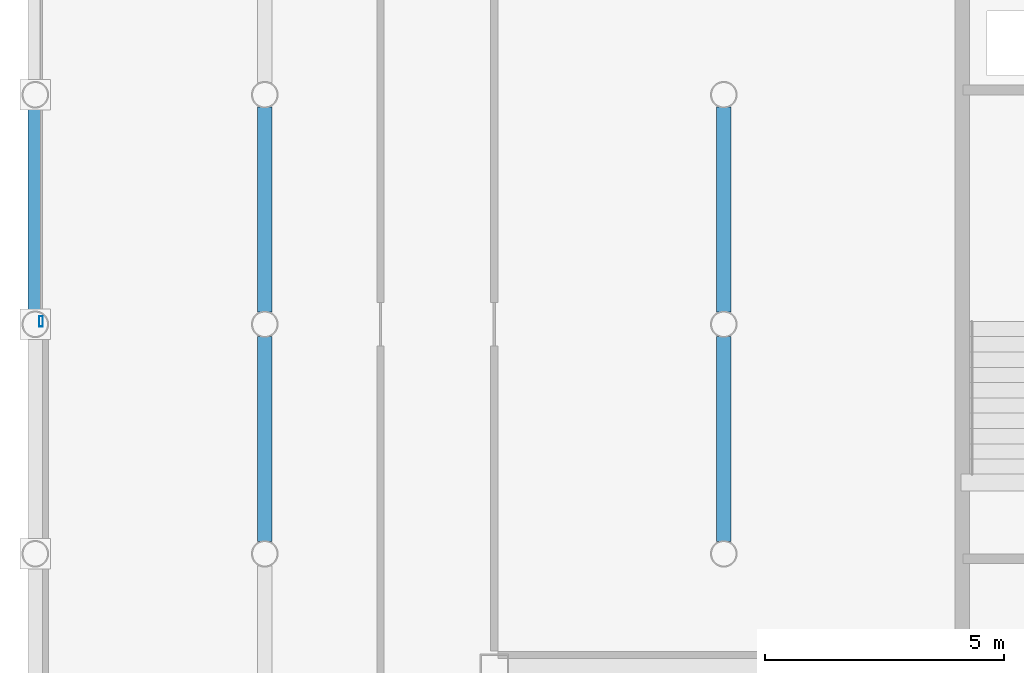
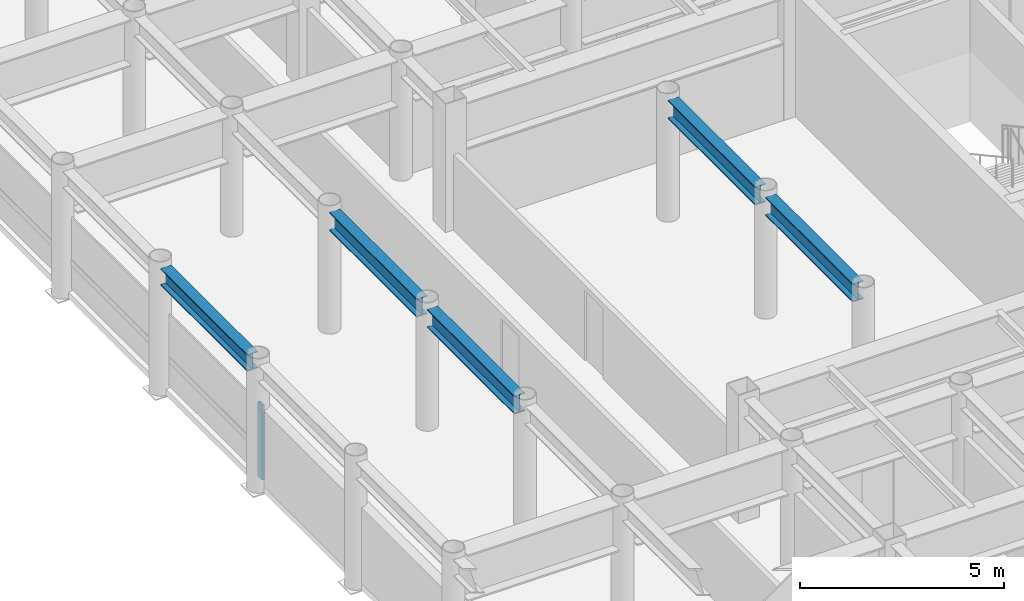
# One storey, part 6 of 25: 5 beams, 1 member, 1 element without a shape of its own.
"""IFC4 building model written with IfcOpenShell, lengths in metres."""

from ifc_helpers import new_model, si_unit, direction, frame, origin, origin_2d, place, context, subcontext, project, spatial, hollow_rectangle, i_section, extrude, material, layer, layer_set, material_profile, profile_set, type_object, element, aggregate, save


model = new_model("IFC4")

# Units and contexts
model_context = context("Model", 3, precision=1e-05, world=origin(), true_north=direction((0.0, 1.0)))
body_context = subcontext(model_context, "Body", "Model", "MODEL_VIEW")
ifc_project = project(units=[si_unit("LENGTHUNIT", "METRE"), si_unit("AREAUNIT", "SQUARE_METRE"), si_unit("VOLUMEUNIT", "CUBIC_METRE"), si_unit("PLANEANGLEUNIT", "RADIAN"), si_unit("MASSUNIT", "GRAM", prefix="KILO")], contexts=[model_context])

# Site, building, storey
site_placement = place(None, origin())
site = spatial("IfcSite", under=ifc_project, at=site_placement, CompositionType="ELEMENT")
building_placement = place(site_placement, origin())
building = spatial("IfcBuilding", under=site, at=building_placement, Name="Kallvorn Hotel Tower", CompositionType="ELEMENT")
storey_placement = place(building_placement, frame((0.0, 0.0, 249.25)))
storey = spatial("IfcBuildingStorey", under=building, at=storey_placement, Name="L62", CompositionType="ELEMENT", Elevation=249.25)

# Beams
ifc_material_1 = material(Name="Structural steel S355JR", Category="steel")
ifc_material_profile_1 = material_profile(ifc_material_1, i_section(OverallWidth=0.300048828125, OverallDepth=0.5, WebThickness=0.014404296875, FlangeThickness=0.028076171875, at=origin_2d()), Name="HE 500 B")
ifc_profile_set_1 = profile_set([ifc_material_profile_1], Name="Structural steel S355JR")
beam_type_1 = type_object("IfcBeamType", Name="BM_HE500B", PredefinedType="SPANDREL", material=ifc_profile_set_1)
beam_placement = place(storey_placement, frame((-33.60009765625, 0.26953125, 3.419921875), z_axis=(0.0, 1.0, 0.0), x_axis=(-1.0, 0.0, 0.0)))
element("IfcBeam", 1, at=beam_placement, inside=storey, type_object=beam_type_1, Name="L63 Perimeter Spandrel 177", PredefinedType="SPANDREL", context=body_context, shape_type="SweptSolid", body=[
    extrude(i_section(OverallWidth=0.300048828125, OverallDepth=0.5, WebThickness=0.014404296875, FlangeThickness=0.028076171875, at=origin_2d()), origin(), (0.0, 0.0, 1.0), 4.260986328125),
])
ifc_material_2 = material(Name="Structural steel S355JR", Category="steel")
ifc_material_profile_2 = material_profile(ifc_material_2, i_section(OverallWidth=0.300048828125, OverallDepth=0.550048828125, WebThickness=0.014892578125, FlangeThickness=0.029052734375, at=origin_2d()), Name="HE 550 B")
ifc_profile_set_2 = profile_set([ifc_material_profile_2], Name="Structural steel S355JR")
beam_type_2 = type_object("IfcBeamType", Name="BM_HE550B", PredefinedType="SPANDREL", material=ifc_profile_set_2)
for number, where, z_axis, x_axis, name in (
    (2, (-28.800048828125, -4.54541015625, 3.39501953125), (0.0, 1.0, 0.0), (-1.0, 0.0, 0.0), "L63 Primary Y-Girder 76"),
    (3, (-28.800048828125, 0.25439453125, 3.39501953125), (0.0, 1.0, 0.0), (-1.0, 0.0, 0.0), "L63 Primary Y-Girder 77"),
    (4, (-19.199951171875, -4.54541015625, 3.39501953125), (0.0, 1.0, 0.0), (-1.0, 0.0, 0.0), "L63 Primary Y-Girder 92"),
    (5, (-19.199951171875, 0.25439453125, 3.39501953125), (0.0, 1.0, 0.0), (-1.0, 0.0, 0.0), "L63 Primary Y-Girder 93"),
):
    element("IfcBeam", number, at=place(storey_placement, frame(where, z_axis=z_axis, x_axis=x_axis)), inside=storey, type_object=beam_type_2, Name=name, PredefinedType="SPANDREL", context=body_context, shape_type="SweptSolid", body=[
        extrude(i_section(OverallWidth=0.300048828125, OverallDepth=0.550048828125, WebThickness=0.014892578125, FlangeThickness=0.029052734375, at=origin_2d()), origin(), (0.0, 0.0, 1.0), 4.291015625),
    ])

# Curtain wall, member
ifc_material_3 = material(Name="Thermally broken black-anodised aluminium AA 6063-T6", Category="aluminium")
ifc_layer = layer(ifc_material_3, 0.22998046875)
ifc_layer_set = layer_set([ifc_layer], Name="CW_SYS_5_HOTEL_HIGH")
curtain_wall_type = type_object("IfcCurtainWallType", Name="CW_SYS_5_HOTEL_HIGH", PredefinedType="USERDEFINED", material=ifc_layer_set)
curtain_wall_placement = place(storey_placement, origin())
curtain_wall = element("IfcCurtainWall", 6, at=curtain_wall_placement, inside=storey, type_object=curtain_wall_type, Name="L62 Dark-Glass Curtain Wall CW-L62-WN", ObjectType="UNITISED CURTAIN WALL", PredefinedType="USERDEFINED")
ifc_material_4 = material(Name="Thermally broken black-anodised aluminium AA 6063-T6", Category="aluminium")
ifc_material_profile_3 = material_profile(ifc_material_4, hollow_rectangle(XDim=0.080078125, YDim=0.219970703125, WallThickness=0.0048828125, at=origin_2d()), Name="MUL 220x80")
ifc_profile_set_3 = profile_set([ifc_material_profile_3], Name="Thermally broken black-anodised aluminium AA 6063-T6")
member_type = type_object("IfcMemberType", Name="CW_MULLION_220x80", PredefinedType="MULLION", material=ifc_profile_set_3)
member_placement = place(storey_placement, frame((-33.47998046875, 0.06005859375, 0.02001953125), z_axis=(0.0, 0.0, 1.0), x_axis=(1.0, 0.0, 0.0)))
member = element("IfcMember", 7, at=member_placement, type_object=member_type, Name="CW-L62-WN Mullion 00", PredefinedType="MULLION", context=body_context, shape_type="SweptSolid", body=[
    extrude(hollow_rectangle(XDim=0.080078125, YDim=0.219970703125, WallThickness=0.0048828125, at=origin_2d()), origin(), (0.0, 0.0, 1.0), 2.22998046875),
])
aggregate(curtain_wall, [member])

save(model, "model.ifc")
